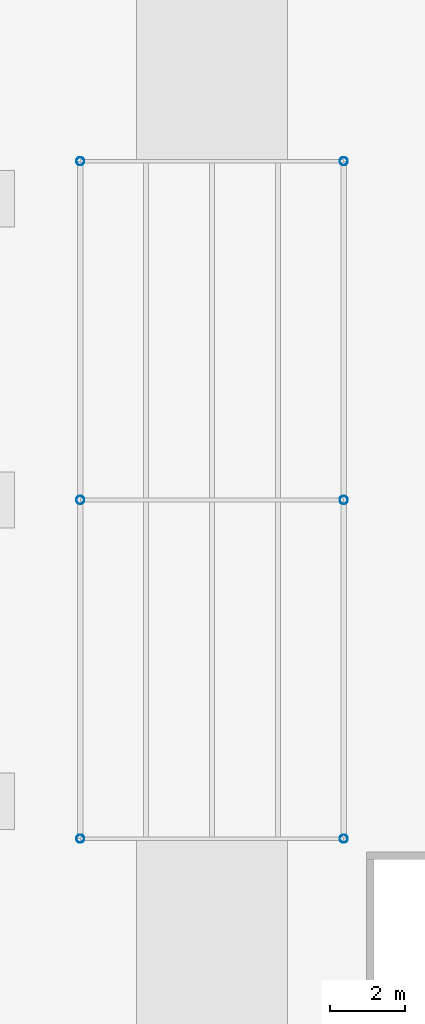
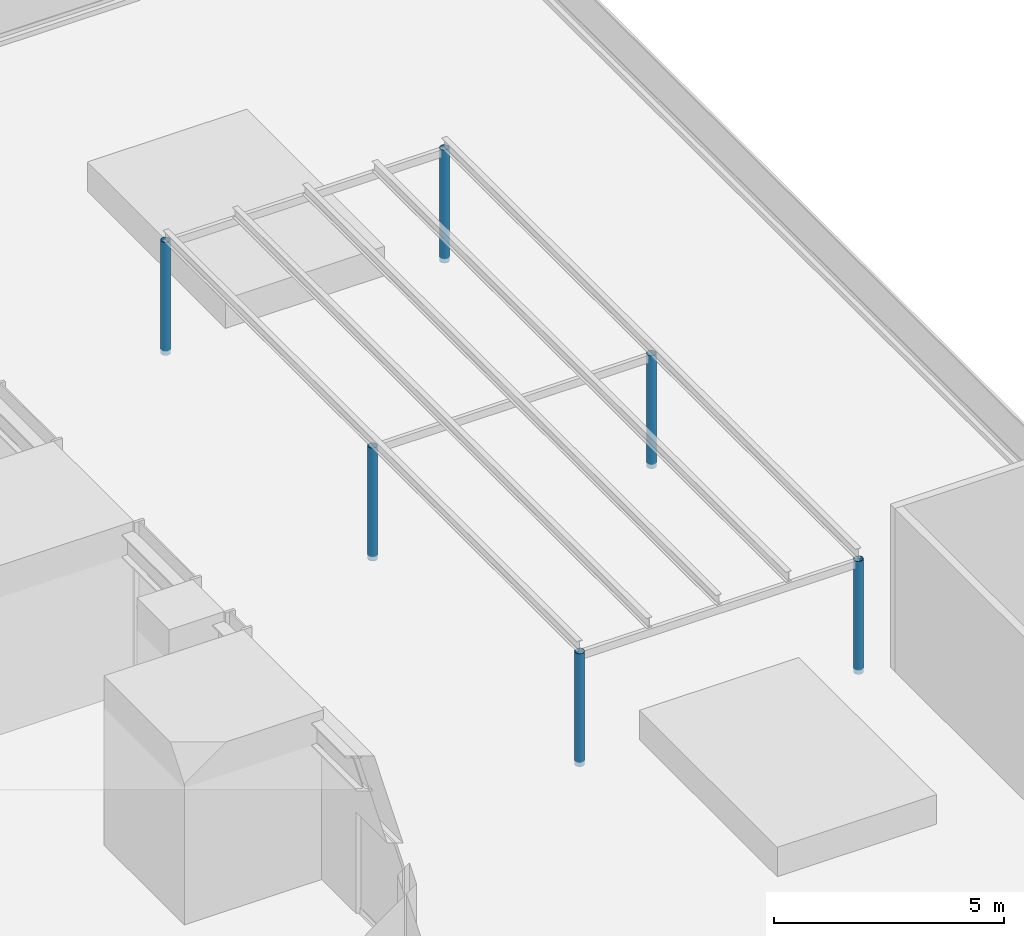
# One storey, part 2 of 14: 6 columns.
"""IFC4 building model written with IfcOpenShell, lengths in metres."""

from ifc_helpers import new_model, si_unit, direction, frame, origin, origin_2d, place, context, subcontext, project, spatial, hollow_circle, extrude, material, material_profile, profile_set, type_object, element, save


model = new_model("IFC4")

# Units and contexts
model_context = context("Model", 3, precision=1e-05, world=origin(), true_north=direction((0.0, 1.0)))
body_context = subcontext(model_context, "Body", "Model", "MODEL_VIEW")
ifc_project = project(units=[si_unit("LENGTHUNIT", "METRE"), si_unit("AREAUNIT", "SQUARE_METRE"), si_unit("VOLUMEUNIT", "CUBIC_METRE"), si_unit("PLANEANGLEUNIT", "RADIAN"), si_unit("MASSUNIT", "GRAM", prefix="KILO")], contexts=[model_context])

# Site, building, storey
site_placement = place(None, origin())
site = spatial("IfcSite", under=ifc_project, at=site_placement, CompositionType="ELEMENT")
building_placement = place(site_placement, origin())
building = spatial("IfcBuilding", under=site, at=building_placement, Name="Svetlomir Tower", CompositionType="ELEMENT")
storey_placement = place(building_placement, frame((0.0, 0.0, 18.0)))
storey = spatial("IfcBuildingStorey", under=building, at=storey_placement, Name="L03", CompositionType="ELEMENT", Elevation=18.0)

# Columns
ifc_material = material(Name="Steel S355", Category="steel")
ifc_material_profile = material_profile(ifc_material, hollow_circle(Radius=0.109619140625, WallThickness=0.008056640625, at=origin_2d()), Name="CHS 219.1x8")
ifc_profile_set = profile_set([ifc_material_profile], Name="Steel S355")
column_type = type_object("IfcColumnType", Name="PERGOLA POST CHS 219.1x8", PredefinedType="COLUMN", material=ifc_profile_set)
for number, where, z_axis, x_axis, name in (
    (1, (49.0, 12.0, 0.0), (0.0, 0.0, 1.0), (1.0, 0.0, 0.0), "Pergola post E"),
    (2, (49.0, 21.0, 0.0), (0.0, 0.0, 1.0), (1.0, 0.0, 0.0), "Pergola post E"),
    (3, (49.0, 30.0, 0.0), (0.0, 0.0, 1.0), (1.0, 0.0, 0.0), "Pergola post E"),
    (4, (56.0, 12.0, 0.0), (0.0, 0.0, 1.0), (1.0, 0.0, 0.0), "Pergola post E"),
    (5, (56.0, 21.0, 0.0), (0.0, 0.0, 1.0), (1.0, 0.0, 0.0), "Pergola post E"),
    (6, (56.0, 30.0, 0.0), (0.0, 0.0, 1.0), (1.0, 0.0, 0.0), "Pergola post E"),
):
    element("IfcColumn", number, at=place(storey_placement, frame(where, z_axis=z_axis, x_axis=x_axis)), inside=storey, type_object=column_type, Name=name, PredefinedType="COLUMN", context=body_context, shape_type="SweptSolid", body=[
        extrude(hollow_circle(Radius=0.109619140625, WallThickness=0.008056640625, at=origin_2d()), origin(), (0.0, 0.0, 1.0), 3.0),
    ])

save(model, "model.ifc")
